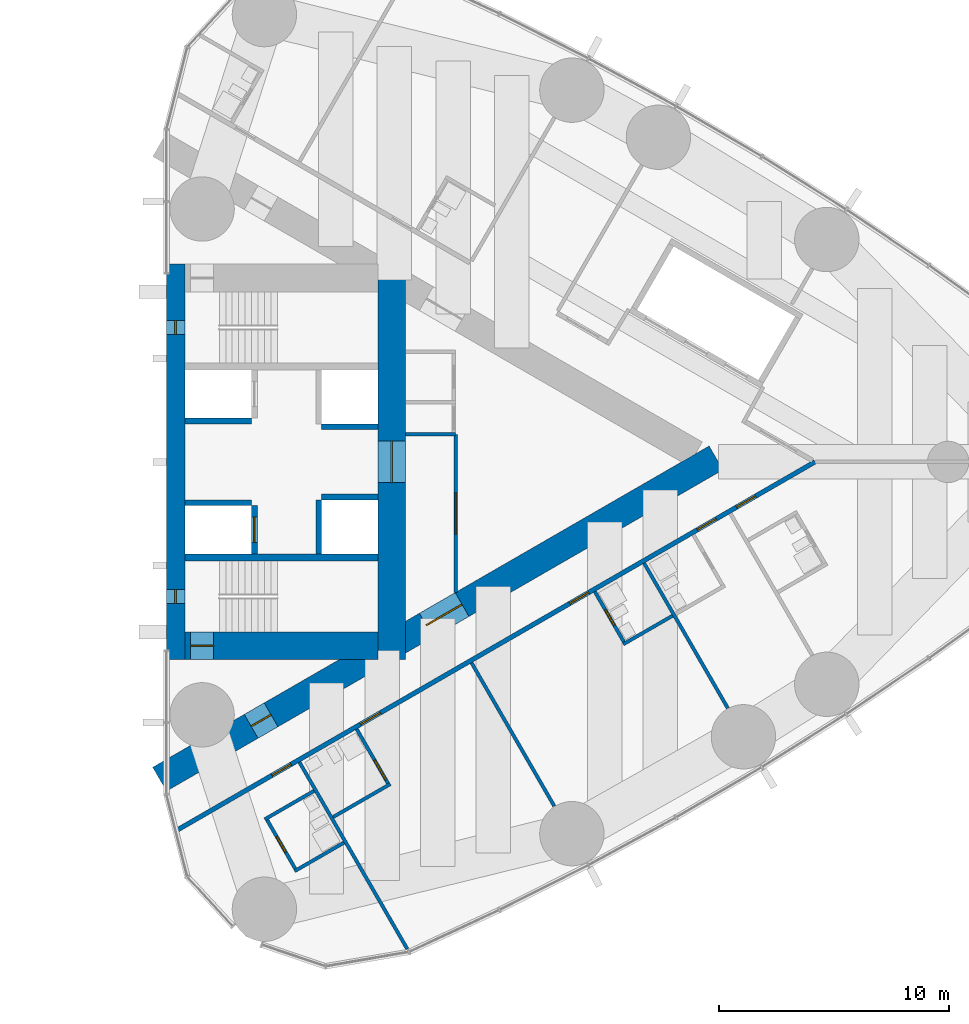
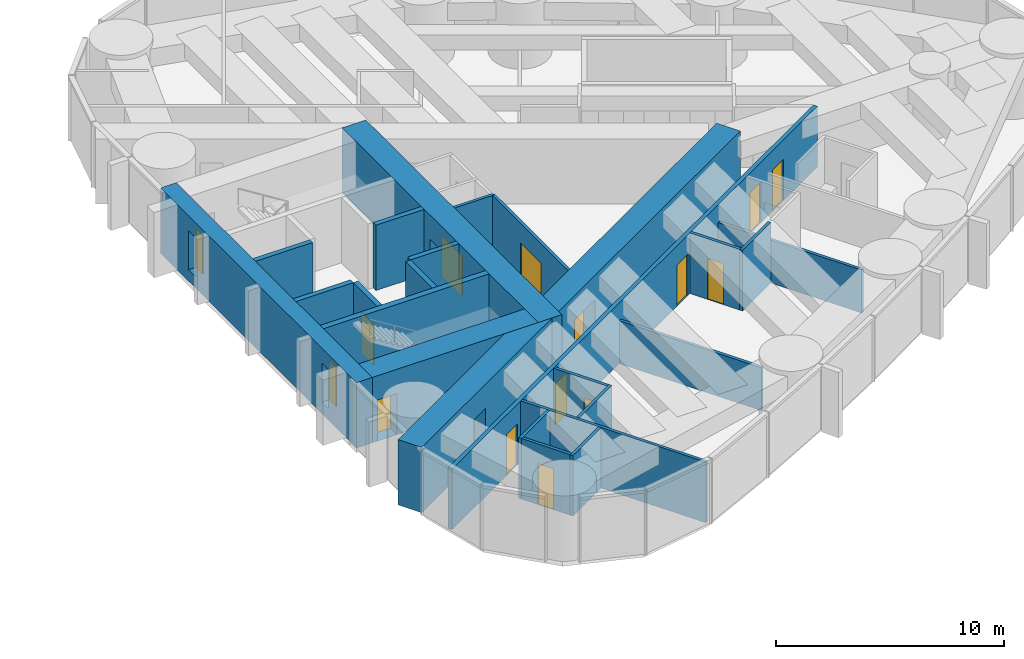
# One storey, part 14 of 19: 24 walls, 14 doors, 2 windows, 16 openings.
"""IFC4 building model written with IfcOpenShell, lengths in metres."""

from ifc_helpers import new_model, si_unit, direction, frame, frame_2d, origin, place, context, subcontext, project, spatial, rectangle, extrude, material, layer, layer_set, type_object, element, fill, save


model = new_model("IFC4")

# Units and contexts
model_context = context("Model", 3, precision=1e-05, world=origin(), true_north=direction((0.0, 1.0)))
body_context = subcontext(model_context, "Body", "Model", "MODEL_VIEW")
ifc_project = project(units=[si_unit("LENGTHUNIT", "METRE"), si_unit("AREAUNIT", "SQUARE_METRE"), si_unit("VOLUMEUNIT", "CUBIC_METRE"), si_unit("PLANEANGLEUNIT", "RADIAN"), si_unit("MASSUNIT", "GRAM", prefix="KILO")], contexts=[model_context])

# Site, building, storey
site_placement = place(None, origin())
site = spatial("IfcSite", under=ifc_project, at=site_placement, CompositionType="ELEMENT")
building_placement = place(site_placement, origin())
building = spatial("IfcBuilding", under=site, at=building_placement, Name="Lancet Gate Hotel", CompositionType="ELEMENT")
storey_placement = place(building_placement, frame((0.0, 0.0, 177.300048828125)))
storey = spatial("IfcBuildingStorey", under=building, at=storey_placement, Name="L47", CompositionType="ELEMENT", Elevation=177.300048828125)

# Wall
ifc_material_1 = material(Name="Moisture resistant board partition")
ifc_layer_1 = layer(ifc_material_1, 0.14990234375)
ifc_layer_set_1 = layer_set([ifc_layer_1], Name="Bathroom wall 150")
wall_type_1 = type_object("IfcWallType", Name="Bathroom wall 150", PredefinedType="PARTITIONING", material=ifc_layer_set_1)
wall_1_placement = place(storey_placement, frame((33.0751953125, -17.798095703125, 0.0), z_axis=(0.0, 0.0, 1.0), x_axis=(0.866006523861, 0.500032699561, 0.0)))
element("IfcWall", 1, at=wall_1_placement, inside=storey, type_object=wall_type_1, Name="T2 bathroom wall 150 L47", PredefinedType="PARTITIONING", context=body_context, shape_type="SweptSolid", body=[
    extrude(rectangle(XDim=2.474853515625, YDim=0.14990234375, at=frame_2d((1.2373046875, 0.0))), origin(), (0.0, 0.0, 1.0), 3.25),
])

# Wall, opening, door
wall_2_placement = place(storey_placement, frame((31.840087890625, -15.5087890625, 0.0), z_axis=(0.0, 0.0, 1.0), x_axis=(0.500006934395, -0.866021400173, 0.0)))
wall_2 = element("IfcWall", 2, at=wall_2_placement, inside=storey, type_object=wall_type_1, Name="T2 bathroom wall 150 L47", PredefinedType="PARTITIONING", context=body_context, shape_type="SweptSolid", body=[
    extrude(rectangle(XDim=2.60009765625, YDim=0.14990234375, at=frame_2d((1.300048828125, 0.0))), origin(), (0.0, 0.0, 1.0), 3.25),
])
opening_1_placement = place(wall_2_placement, frame((0.89990234375, 0.0, 0.0)))
opening_1 = element("IfcOpeningElement", 3, at=opening_1_placement, cuts=wall_2, Name="Opening 4751-B", PredefinedType="OPENING", context=body_context, shape_type="SweptSolid", body=[
    extrude(rectangle(XDim=0.800048828125, YDim=2.199951171875, at=frame_2d((0.39990234375, 1.10009765625))), frame((0.0, 0.0849609375, 0.0), z_axis=(0.0, -1.0, 0.0), x_axis=(1.0, 0.0, 0.0)), (0.0, 0.0, 1.0), 0.169921875),
])
ifc_material_2 = material(Name="Timber door set", Category="wood")
door_type_1 = type_object("IfcDoorType", Name="Bathroom door 800", OperationType="SINGLE_SWING_RIGHT", PredefinedType="DOOR", material=ifc_material_2)
door_1_placement = place(opening_1_placement, origin())
door_1 = element("IfcDoor", 4, at=door_1_placement, inside=storey, type_object=door_type_1, Name="4751-B", OperationType="SINGLE_SWING_RIGHT", OverallHeight=2.199951171875, OverallWidth=0.800048828125, PredefinedType="DOOR", context=body_context, shape_type="SweptSolid", body=[
    extrude(rectangle(XDim=0.800048828125, YDim=2.199951171875, at=frame_2d((0.39990234375, 1.10009765625))), frame((0.0, 0.02490234375, 0.0), z_axis=(0.0, -1.0, 0.0), x_axis=(1.0, 0.0, 0.0)), (0.0, 0.0, 1.0), 0.050048828125),
])
fill(opening_1, door_1)

# Walls
wall_3_placement = place(storey_placement, frame((31.775146484375, -15.54638671875, 0.0), z_axis=(0.0, 0.0, 1.0), x_axis=(0.866031185235, 0.4999899861, 0.0)))
element("IfcWall", 5, at=wall_3_placement, inside=storey, type_object=wall_type_1, Name="T2 bathroom wall 150 L47", PredefinedType="PARTITIONING", context=body_context, shape_type="SweptSolid", body=[
    extrude(rectangle(XDim=2.47509765625, YDim=0.14990234375, at=frame_2d((1.237548828125, 0.0))), origin(), (0.0, 0.0, 1.0), 3.25),
])
wall_4_placement = place(storey_placement, frame((34.74853515625, -15.4462890625, 0.0), z_axis=(0.0, 0.0, 1.0), x_axis=(0.866018712932, 0.500011588718, 0.0)))
element("IfcWall", 6, at=wall_4_placement, inside=storey, type_object=wall_type_1, Name="T2 bathroom wall 150 L47", PredefinedType="PARTITIONING", context=body_context, shape_type="SweptSolid", body=[
    extrude(rectangle(XDim=2.875, YDim=0.14990234375, at=frame_2d((1.4375, 0.0))), origin(), (0.0, 0.0, 1.0), 3.25),
])

# Wall, opening, door
wall_5_placement = place(storey_placement, frame((35.7734375, -11.621337890625, 0.0), z_axis=(0.0, 0.0, 1.0), x_axis=(0.49998411664, -0.866034573852, 0.0)))
wall_5 = element("IfcWall", 7, at=wall_5_placement, inside=storey, type_object=wall_type_1, Name="T2 bathroom wall 150 L47", PredefinedType="PARTITIONING", context=body_context, shape_type="SweptSolid", body=[
    extrude(rectangle(XDim=2.7998046875, YDim=0.14990234375, at=frame_2d((1.39990234375, 0.0))), origin(), (0.0, 0.0, 1.0), 3.25),
])
opening_2_placement = place(wall_5_placement, frame((1.550048828125, 0.0, 0.0)))
opening_2 = element("IfcOpeningElement", 8, at=opening_2_placement, cuts=wall_5, Name="Opening 4752-B", PredefinedType="OPENING", context=body_context, shape_type="SweptSolid", body=[
    extrude(rectangle(XDim=1.0, YDim=2.199951171875, at=frame_2d((0.5, 1.10009765625))), frame((0.0, 0.0849609375, 0.0), z_axis=(0.0, -1.0, 0.0), x_axis=(1.0, 0.0, 0.0)), (0.0, 0.0, 1.0), 0.169921875),
])
ifc_material_3 = material(Name="Timber door set", Category="wood")
door_type_2 = type_object("IfcDoorType", Name="Accessible en-suite door 1000", OperationType="SINGLE_SWING_RIGHT", PredefinedType="DOOR", material=ifc_material_3)
door_2_placement = place(opening_2_placement, origin())
door_2 = element("IfcDoor", 9, at=door_2_placement, inside=storey, type_object=door_type_2, Name="4752-B", OperationType="SINGLE_SWING_RIGHT", OverallHeight=2.199951171875, OverallWidth=1.0, PredefinedType="DOOR", context=body_context, shape_type="SweptSolid", body=[
    extrude(rectangle(XDim=1.0, YDim=2.199951171875, at=frame_2d((0.5, 1.10009765625))), frame((0.0, 0.02490234375, 0.0), z_axis=(0.0, -1.0, 0.0), x_axis=(1.0, 0.0, 0.0)), (0.0, 0.0, 1.0), 0.050048828125),
])
fill(opening_2, door_2)

# Wall
wall_6_placement = place(storey_placement, frame((47.3662109375, -7.930419921875, 0.0), z_axis=(0.0, 0.0, 1.0), x_axis=(0.866031185235, 0.4999899861, 0.0)))
element("IfcWall", 10, at=wall_6_placement, inside=storey, type_object=wall_type_1, Name="T2 bathroom wall 150 L47", PredefinedType="PARTITIONING", context=body_context, shape_type="SweptSolid", body=[
    extrude(rectangle(XDim=2.47509765625, YDim=0.14990234375, at=frame_2d((1.237548828125, 0.0))), origin(), (0.0, 0.0, 1.0), 3.25),
])

# Wall, opening, door
wall_7_placement = place(storey_placement, frame((46.13134765625, -5.641357421875, 0.0), z_axis=(0.0, 0.0, 1.0), x_axis=(0.49997716683, -0.86603858612, 0.0)))
wall_7 = element("IfcWall", 11, at=wall_7_placement, inside=storey, type_object=wall_type_1, Name="T2 bathroom wall 150 L47", PredefinedType="PARTITIONING", context=body_context, shape_type="SweptSolid", body=[
    extrude(rectangle(XDim=2.599609375, YDim=0.14990234375, at=frame_2d((1.2998046875, 0.0))), origin(), (0.0, 0.0, 1.0), 3.25),
])
opening_3_placement = place(wall_7_placement, frame((0.89990234375, 0.0, 0.0)))
opening_3 = element("IfcOpeningElement", 12, at=opening_3_placement, cuts=wall_7, Name="Opening 4754-B", PredefinedType="OPENING", context=body_context, shape_type="SweptSolid", body=[
    extrude(rectangle(XDim=0.800048828125, YDim=2.199951171875, at=frame_2d((0.39990234375, 1.10009765625))), frame((0.0, 0.0849609375, 0.0), z_axis=(0.0, -1.0, 0.0), x_axis=(1.0, 0.0, 0.0)), (0.0, 0.0, 1.0), 0.169921875),
])
door_3_placement = place(opening_3_placement, origin())
door_3 = element("IfcDoor", 13, at=door_3_placement, inside=storey, type_object=door_type_1, Name="4754-B", OperationType="SINGLE_SWING_RIGHT", OverallHeight=2.199951171875, OverallWidth=0.800048828125, PredefinedType="DOOR", context=body_context, shape_type="SweptSolid", body=[
    extrude(rectangle(XDim=0.800048828125, YDim=2.199951171875, at=frame_2d((0.39990234375, 1.10009765625))), frame((0.0, 0.02490234375, 0.0), z_axis=(0.0, -1.0, 0.0), x_axis=(1.0, 0.0, 0.0)), (0.0, 0.0, 1.0), 0.050048828125),
])
fill(opening_3, door_3)

# Wall, openings, doors
ifc_material_4 = material(Name="Concrete C70/85", Category="concrete")
ifc_layer_2 = layer(ifc_material_4, 1.199951171875)
ifc_layer_set_2 = layer_set([ifc_layer_2], Name="Buttress wall 1200")
wall_type_2 = type_object("IfcWallType", Name="Buttress wall 1200", PredefinedType="SHEAR", material=ifc_layer_set_2)
wall_8_placement = place(storey_placement, frame((27.199951171875, -13.800048828125, 0.0), z_axis=(0.0, 0.0, 1.0), x_axis=(0.866027159892, 0.499996958321, 0.0)))
wall_8 = element("IfcWall", 14, at=wall_8_placement, inside=storey, type_object=wall_type_2, Name="T2 buttress wall S L47", PredefinedType="SHEAR", context=body_context, shape_type="SweptSolid", body=[
    extrude(rectangle(XDim=27.946533203125, YDim=1.199951171875, at=frame_2d((13.97314453125, 0.0))), origin(), (0.0, 0.0, 1.0), 3.5),
])
opening_4_placement = place(wall_8_placement, frame((4.60009765625, 0.0, 0.0)))
opening_4 = element("IfcOpeningElement", 15, at=opening_4_placement, cuts=wall_8, Name="Opening T2-L47-LS", PredefinedType="OPENING", context=body_context, shape_type="SweptSolid", body=[
    extrude(rectangle(XDim=1.0, YDim=2.199951171875, at=frame_2d((0.5, 1.10009765625))), frame((0.0, 0.60986328125, 0.0), z_axis=(0.0, -1.0, 0.0), x_axis=(1.0, 0.0, 0.0)), (0.0, 0.0, 1.0), 1.219970703125),
])
opening_5_placement = place(wall_8_placement, frame((13.39453125, 0.0, 0.0)))
opening_5 = element("IfcOpeningElement", 16, at=opening_5_placement, cuts=wall_8, Name="Opening T2-L47-LHS", PredefinedType="OPENING", context=body_context, shape_type="SweptSolid", body=[
    extrude(rectangle(XDim=1.800048828125, YDim=2.199951171875, at=frame_2d((0.89990234375, 1.10009765625))), frame((0.0, 0.60986328125, 0.0), z_axis=(0.0, -1.0, 0.0), x_axis=(1.0, 0.0, 0.0)), (0.0, 0.0, 1.0), 1.219970703125),
])
ifc_material_5 = material(Name="Timber door set", Category="wood")
door_type_3 = type_object("IfcDoorType", Name="Lobby double door 1800", OperationType="DOUBLE_DOOR_SINGLE_SWING", PredefinedType="DOOR", material=ifc_material_5)
door_4_placement = place(opening_5_placement, origin())
door_4 = element("IfcDoor", 17, at=door_4_placement, inside=storey, type_object=door_type_3, Name="T2-L47-LHS", OperationType="DOUBLE_DOOR_SINGLE_SWING", OverallHeight=2.199951171875, OverallWidth=1.800048828125, PredefinedType="DOOR", context=body_context, shape_type="SweptSolid", body=[
    extrude(rectangle(XDim=1.800048828125, YDim=2.199951171875, at=frame_2d((0.89990234375, 1.10009765625))), frame((0.0, 0.02490234375, 0.0), z_axis=(0.0, -1.0, 0.0), x_axis=(1.0, 0.0, 0.0)), (0.0, 0.0, 1.0), 0.050048828125),
])
fill(opening_5, door_4)
ifc_material_6 = material(Name="Timber door set", Category="wood")
door_type_4 = type_object("IfcDoorType", Name="Stair lobby door 1000", OperationType="SINGLE_SWING_LEFT", PredefinedType="DOOR", material=ifc_material_6)
door_5_placement = place(opening_4_placement, origin())
door_5 = element("IfcDoor", 18, at=door_5_placement, inside=storey, type_object=door_type_4, Name="T2-L47-LS", OperationType="SINGLE_SWING_LEFT", OverallHeight=2.199951171875, OverallWidth=1.0, PredefinedType="DOOR", context=body_context, shape_type="SweptSolid", body=[
    extrude(rectangle(XDim=1.0, YDim=2.199951171875, at=frame_2d((0.5, 1.10009765625))), frame((0.0, 0.02490234375, 0.0), z_axis=(0.0, -1.0, 0.0), x_axis=(1.0, 0.0, 0.0)), (0.0, 0.0, 1.0), 0.050048828125),
])
fill(opening_4, door_5)

# Wall, opening, door
ifc_material_7 = material(Name="Concrete C70/85", Category="concrete")
ifc_layer_3 = layer(ifc_material_7, 1.199951171875)
ifc_layer_set_3 = layer_set([ifc_layer_3], Name="Core wall 1200")
wall_type_3 = type_object("IfcWallType", Name="Core wall 1200", PredefinedType="SHEAR", material=ifc_layer_set_3)
wall_9_placement = place(storey_placement, frame((37.300048828125, -8.60009765625, 0.0), z_axis=(0.0, 0.0, 1.0), x_axis=(0.0, 1.0, 0.0)))
wall_9 = element("IfcWall", 19, at=wall_9_placement, inside=storey, type_object=wall_type_3, Name="T2 core wall back L47", PredefinedType="SHEAR", context=body_context, shape_type="SweptSolid", body=[
    extrude(rectangle(XDim=17.2001953125, YDim=1.199951171875, at=frame_2d((8.60009765625, 0.0))), origin(), (0.0, 0.0, 1.0), 3.5),
])
opening_6_placement = place(wall_9_placement, frame((7.699951171875, 0.0, 0.0)))
opening_6 = element("IfcOpeningElement", 20, at=opening_6_placement, cuts=wall_9, Name="Opening T2-L47-LL", PredefinedType="OPENING", context=body_context, shape_type="SweptSolid", body=[
    extrude(rectangle(XDim=1.800048828125, YDim=2.199951171875, at=frame_2d((0.89990234375, 1.10009765625))), frame((0.0, 0.60986328125, 0.0), z_axis=(0.0, -1.0, 0.0), x_axis=(1.0, 0.0, 0.0)), (0.0, 0.0, 1.0), 1.219970703125),
])
door_6_placement = place(opening_6_placement, origin())
door_6 = element("IfcDoor", 21, at=door_6_placement, inside=storey, type_object=door_type_3, Name="T2-L47-LL", OperationType="DOUBLE_DOOR_SINGLE_SWING", OverallHeight=2.199951171875, OverallWidth=1.800048828125, PredefinedType="DOOR", context=body_context, shape_type="SweptSolid", body=[
    extrude(rectangle(XDim=1.800048828125, YDim=2.199951171875, at=frame_2d((0.89990234375, 1.10009765625))), frame((0.0, 0.02490234375, 0.0), z_axis=(0.0, -1.0, 0.0), x_axis=(1.0, 0.0, 0.0)), (0.0, 0.0, 1.0), 0.050048828125),
])
fill(opening_6, door_6)

wall_10_placement = place(storey_placement, frame((28.300048828125, -8.0, 0.0), z_axis=(0.0, 0.0, 1.0), x_axis=(1.0, 0.0, 0.0)))
wall_10 = element("IfcWall", 22, at=wall_10_placement, inside=storey, type_object=wall_type_3, Name="T2 core wall side-S L47", PredefinedType="SHEAR", context=body_context, shape_type="SweptSolid", body=[
    extrude(rectangle(XDim=8.39990234375, YDim=1.199951171875, at=frame_2d((4.199951171875, 0.0))), origin(), (0.0, 0.0, 1.0), 3.5),
])
opening_7_placement = place(wall_10_placement, frame((0.25, 0.0, 0.0)))
opening_7 = element("IfcOpeningElement", 23, at=opening_7_placement, cuts=wall_10, Name="Opening T2-L47-ST1", PredefinedType="OPENING", context=body_context, shape_type="SweptSolid", body=[
    extrude(rectangle(XDim=1.0, YDim=2.199951171875, at=frame_2d((0.5, 1.10009765625))), frame((0.0, 0.60986328125, 0.0), z_axis=(0.0, -1.0, 0.0), x_axis=(1.0, 0.0, 0.0)), (0.0, 0.0, 1.0), 1.219970703125),
])
ifc_material_8 = material(Name="Timber door set", Category="wood")
door_type_5 = type_object("IfcDoorType", Name="Stair door 1000", OperationType="SINGLE_SWING_RIGHT", PredefinedType="DOOR", material=ifc_material_8)
door_7_placement = place(opening_7_placement, origin())
door_7 = element("IfcDoor", 24, at=door_7_placement, inside=storey, type_object=door_type_5, Name="T2-L47-ST1", OperationType="SINGLE_SWING_RIGHT", OverallHeight=2.199951171875, OverallWidth=1.0, PredefinedType="DOOR", context=body_context, shape_type="SweptSolid", body=[
    extrude(rectangle(XDim=1.0, YDim=2.199951171875, at=frame_2d((0.5, 1.10009765625))), frame((0.0, 0.02490234375, 0.0), z_axis=(0.0, -1.0, 0.0), x_axis=(1.0, 0.0, 0.0)), (0.0, 0.0, 1.0), 0.050048828125),
])
fill(opening_7, door_7)

# Wall, openings, windows
ifc_material_9 = material(Name="Concrete C70/85", Category="concrete")
ifc_layer_4 = layer(ifc_material_9, 0.800048828125)
ifc_layer_set_4 = layer_set([ifc_layer_4], Name="Core wall 800")
wall_type_4 = type_object("IfcWallType", Name="Core wall 800", PredefinedType="SHEAR", material=ifc_layer_set_4)
wall_11_placement = place(storey_placement, frame((27.89990234375, -8.60009765625, 0.0), z_axis=(0.0, 0.0, 1.0), x_axis=(0.0, 1.0, 0.0)))
wall_11 = element("IfcWall", 25, at=wall_11_placement, inside=storey, type_object=wall_type_4, Name="T2 core wall front L47", PredefinedType="SHEAR", context=body_context, shape_type="SweptSolid", body=[
    extrude(rectangle(XDim=17.2001953125, YDim=0.800048828125, at=frame_2d((8.60009765625, 0.0))), origin(), (0.0, 0.0, 1.0), 3.5),
])
opening_8_placement = place(wall_11_placement, frame((2.449951171875, 0.0, 0.60009765625)))
opening_8 = element("IfcOpeningElement", 26, at=opening_8_placement, cuts=wall_11, Name="Opening LW1", PredefinedType="OPENING", context=body_context, shape_type="SweptSolid", body=[
    extrude(rectangle(XDim=0.60009765625, YDim=2.10009765625, at=frame_2d((0.300048828125, 1.050048828125))), frame((0.0, 0.409912109375, 0.0), z_axis=(0.0, -1.0, 0.0), x_axis=(1.0, 0.0, 0.0)), (0.0, 0.0, 1.0), 0.820068359375),
])
opening_9_placement = place(wall_11_placement, frame((14.14990234375, 0.0, 0.60009765625)))
opening_9 = element("IfcOpeningElement", 27, at=opening_9_placement, cuts=wall_11, Name="Opening LW1", PredefinedType="OPENING", context=body_context, shape_type="SweptSolid", body=[
    extrude(rectangle(XDim=0.60009765625, YDim=2.10009765625, at=frame_2d((0.300048828125, 1.050048828125))), frame((0.0, 0.409912109375, 0.0), z_axis=(0.0, -1.0, 0.0), x_axis=(1.0, 0.0, 0.0)), (0.0, 0.0, 1.0), 0.820068359375),
])
ifc_material_10 = material(Name="Fire-resisting glazed steel window", Category="steel")
window_type = type_object("IfcWindowType", Name="Lancet window 600x2100", PartitioningType="SINGLE_PANEL", PredefinedType="WINDOW", material=ifc_material_10)
window_1_placement = place(opening_8_placement, origin())
window_1 = element("IfcWindow", 28, at=window_1_placement, inside=storey, type_object=window_type, Name="T2 stair window S L47", OverallHeight=2.10009765625, OverallWidth=0.60009765625, PartitioningType="SINGLE_PANEL", PredefinedType="WINDOW", context=body_context, shape_type="SweptSolid", body=[
    extrude(rectangle(XDim=0.60009765625, YDim=2.10009765625, at=frame_2d((0.300048828125, 1.050048828125))), frame((0.0, 0.030029296875, 0.0), z_axis=(0.0, -1.0, 0.0), x_axis=(1.0, 0.0, 0.0)), (0.0, 0.0, 1.0), 0.06005859375),
])
fill(opening_8, window_1)
window_2_placement = place(opening_9_placement, origin())
window_2 = element("IfcWindow", 29, at=window_2_placement, inside=storey, type_object=window_type, Name="T2 stair window N L47", OverallHeight=2.10009765625, OverallWidth=0.60009765625, PartitioningType="SINGLE_PANEL", PredefinedType="WINDOW", context=body_context, shape_type="SweptSolid", body=[
    extrude(rectangle(XDim=0.60009765625, YDim=2.10009765625, at=frame_2d((0.300048828125, 1.050048828125))), frame((0.0, 0.030029296875, 0.0), z_axis=(0.0, -1.0, 0.0), x_axis=(1.0, 0.0, 0.0)), (0.0, 0.0, 1.0), 0.06005859375),
])
fill(opening_9, window_2)

# Wall, openings, doors
ifc_material_11 = material(Name="Gypsum board partition")
ifc_layer_5 = layer(ifc_material_11, 0.199951171875)
ifc_layer_set_5 = layer_set([ifc_layer_5], Name="Corridor wall 200")
wall_type_5 = type_object("IfcWallType", Name="Corridor wall 200", PredefinedType="PARTITIONING", material=ifc_layer_set_5)
wall_12_placement = place(storey_placement, frame((27.95947265625, -16.017333984375, 0.0), z_axis=(0.0, 0.0, 1.0), x_axis=(0.866024151371, 0.500002169237, 0.0)))
wall_12 = element("IfcWall", 30, at=wall_12_placement, inside=storey, type_object=wall_type_5, Name="T2 corridor wall 200 L47", PredefinedType="PARTITIONING", context=body_context, shape_type="SweptSolid", body=[
    extrude(rectangle(XDim=32.034423828125, YDim=0.199951171875, at=frame_2d((16.01708984375, 0.0))), origin(), (0.0, 0.0, 1.0), 3.25),
])
opening_10_placement = place(wall_12_placement, frame((4.764892578125, 0.0, 0.0)))
opening_10 = element("IfcOpeningElement", 31, at=opening_10_placement, cuts=wall_12, Name="Opening 4751-E", PredefinedType="OPENING", context=body_context, shape_type="SweptSolid", body=[
    extrude(rectangle(XDim=0.949951171875, YDim=2.199951171875, at=frame_2d((0.47509765625, 1.10009765625))), frame((0.0, 0.10986328125, 0.0), z_axis=(0.0, -1.0, 0.0), x_axis=(1.0, 0.0, 0.0)), (0.0, 0.0, 1.0), 0.219970703125),
])
opening_11_placement = place(wall_12_placement, frame((9.215087890625, 0.0, 0.0)))
opening_11 = element("IfcOpeningElement", 32, at=opening_11_placement, cuts=wall_12, Name="Opening 4752-E", PredefinedType="OPENING", context=body_context, shape_type="SweptSolid", body=[
    extrude(rectangle(XDim=1.0, YDim=2.199951171875, at=frame_2d((0.5, 1.10009765625))), frame((0.0, 0.10986328125, 0.0), z_axis=(0.0, -1.0, 0.0), x_axis=(1.0, 0.0, 0.0)), (0.0, 0.0, 1.0), 0.219970703125),
])
opening_12_placement = place(wall_12_placement, frame((19.72509765625, 0.0, 0.0)))
opening_12 = element("IfcOpeningElement", 33, at=opening_12_placement, cuts=wall_12, Name="Opening 4754-E", PredefinedType="OPENING", context=body_context, shape_type="SweptSolid", body=[
    extrude(rectangle(XDim=0.949951171875, YDim=2.199951171875, at=frame_2d((0.47509765625, 1.10009765625))), frame((0.0, 0.10986328125, 0.0), z_axis=(0.0, -1.0, 0.0), x_axis=(1.0, 0.0, 0.0)), (0.0, 0.0, 1.0), 0.219970703125),
])
opening_13_placement = place(wall_12_placement, frame((26.125244140625, 0.0, 0.0)))
opening_13 = element("IfcOpeningElement", 34, at=opening_13_placement, cuts=wall_12, Name="Opening 4756-E", PredefinedType="OPENING", context=body_context, shape_type="SweptSolid", body=[
    extrude(rectangle(XDim=0.949951171875, YDim=2.199951171875, at=frame_2d((0.47509765625, 1.10009765625))), frame((0.0, 0.10986328125, 0.0), z_axis=(0.0, -1.0, 0.0), x_axis=(1.0, 0.0, 0.0)), (0.0, 0.0, 1.0), 0.219970703125),
])
opening_14_placement = place(wall_12_placement, frame((28.10595703125, 0.0, 0.0)))
opening_14 = element("IfcOpeningElement", 35, at=opening_14_placement, cuts=wall_12, Name="Opening 4757-E", PredefinedType="OPENING", context=body_context, shape_type="SweptSolid", body=[
    extrude(rectangle(XDim=0.949951171875, YDim=2.199951171875, at=frame_2d((0.47509765625, 1.10009765625))), frame((0.0, 0.10986328125, 0.0), z_axis=(0.0, -1.0, 0.0), x_axis=(1.0, 0.0, 0.0)), (0.0, 0.0, 1.0), 0.219970703125),
])
ifc_material_12 = material(Name="Timber door set", Category="wood")
door_type_6 = type_object("IfcDoorType", Name="Accessible guest room door 1000", OperationType="SINGLE_SWING_LEFT", PredefinedType="DOOR", material=ifc_material_12)
door_8_placement = place(opening_11_placement, origin())
door_8 = element("IfcDoor", 36, at=door_8_placement, inside=storey, type_object=door_type_6, Name="4752-E", OperationType="SINGLE_SWING_LEFT", OverallHeight=2.199951171875, OverallWidth=1.0, PredefinedType="DOOR", context=body_context, shape_type="SweptSolid", body=[
    extrude(rectangle(XDim=1.0, YDim=2.199951171875, at=frame_2d((0.5, 1.10009765625))), frame((0.0, 0.02490234375, 0.0), z_axis=(0.0, -1.0, 0.0), x_axis=(1.0, 0.0, 0.0)), (0.0, 0.0, 1.0), 0.050048828125),
])
fill(opening_11, door_8)
ifc_material_13 = material(Name="Timber door set", Category="wood")
door_type_7 = type_object("IfcDoorType", Name="Guest room entry door 950", OperationType="SINGLE_SWING_LEFT", PredefinedType="DOOR", material=ifc_material_13)
door_9_placement = place(opening_10_placement, origin())
door_9 = element("IfcDoor", 37, at=door_9_placement, inside=storey, type_object=door_type_7, Name="4751-E", OperationType="SINGLE_SWING_LEFT", OverallHeight=2.199951171875, OverallWidth=0.949951171875, PredefinedType="DOOR", context=body_context, shape_type="SweptSolid", body=[
    extrude(rectangle(XDim=0.949951171875, YDim=2.199951171875, at=frame_2d((0.47509765625, 1.10009765625))), frame((0.0, 0.02490234375, 0.0), z_axis=(0.0, -1.0, 0.0), x_axis=(1.0, 0.0, 0.0)), (0.0, 0.0, 1.0), 0.050048828125),
])
fill(opening_10, door_9)
door_10_placement = place(opening_12_placement, origin())
door_10 = element("IfcDoor", 38, at=door_10_placement, inside=storey, type_object=door_type_7, Name="4754-E", OperationType="SINGLE_SWING_LEFT", OverallHeight=2.199951171875, OverallWidth=0.949951171875, PredefinedType="DOOR", context=body_context, shape_type="SweptSolid", body=[
    extrude(rectangle(XDim=0.949951171875, YDim=2.199951171875, at=frame_2d((0.47509765625, 1.10009765625))), frame((0.0, 0.02490234375, 0.0), z_axis=(0.0, -1.0, 0.0), x_axis=(1.0, 0.0, 0.0)), (0.0, 0.0, 1.0), 0.050048828125),
])
fill(opening_12, door_10)
door_11_placement = place(opening_13_placement, origin())
door_11 = element("IfcDoor", 39, at=door_11_placement, inside=storey, type_object=door_type_7, Name="4756-E", OperationType="SINGLE_SWING_LEFT", OverallHeight=2.199951171875, OverallWidth=0.949951171875, PredefinedType="DOOR", context=body_context, shape_type="SweptSolid", body=[
    extrude(rectangle(XDim=0.949951171875, YDim=2.199951171875, at=frame_2d((0.47509765625, 1.10009765625))), frame((0.0, 0.02490234375, 0.0), z_axis=(0.0, -1.0, 0.0), x_axis=(1.0, 0.0, 0.0)), (0.0, 0.0, 1.0), 0.050048828125),
])
fill(opening_13, door_11)
door_12_placement = place(opening_14_placement, origin())
door_12 = element("IfcDoor", 40, at=door_12_placement, inside=storey, type_object=door_type_7, Name="4757-E", OperationType="SINGLE_SWING_LEFT", OverallHeight=2.199951171875, OverallWidth=0.949951171875, PredefinedType="DOOR", context=body_context, shape_type="SweptSolid", body=[
    extrude(rectangle(XDim=0.949951171875, YDim=2.199951171875, at=frame_2d((0.47509765625, 1.10009765625))), frame((0.0, 0.02490234375, 0.0), z_axis=(0.0, -1.0, 0.0), x_axis=(1.0, 0.0, 0.0)), (0.0, 0.0, 1.0), 0.050048828125),
])
fill(opening_14, door_12)

# Wall, opening, door
ifc_material_14 = material(Name="Concrete C50/60", Category="concrete")
ifc_layer_6 = layer(ifc_material_14, 0.25)
ifc_layer_set_6 = layer_set([ifc_layer_6], Name="Lift shaft wall 250")
wall_type_6 = type_object("IfcWallType", Name="Lift shaft wall 250", PredefinedType="SHEAR", material=ifc_layer_set_6)
wall_13_placement = place(storey_placement, frame((31.324951171875, -4.0, 0.0), z_axis=(0.0, 0.0, 1.0), x_axis=(0.0, 1.0, 0.0)))
wall_13 = element("IfcWall", 41, at=wall_13_placement, inside=storey, type_object=wall_type_6, Name="T2 core wall row1-S L47", PredefinedType="SHEAR", context=body_context, shape_type="SweptSolid", body=[
    extrude(rectangle(XDim=2.10009765625, YDim=0.25, at=frame_2d((1.050048828125, 0.0))), origin(), (0.0, 0.0, 1.0), 3.5),
])
opening_15_placement = place(wall_13_placement, frame((0.5, 0.0, 0.0)))
opening_15 = element("IfcOpeningElement", 42, at=opening_15_placement, cuts=wall_13, Name="Opening T2-SL1-L47", PredefinedType="OPENING", context=body_context, shape_type="SweptSolid", body=[
    extrude(rectangle(XDim=1.10009765625, YDim=2.199951171875, at=frame_2d((0.550048828125, 1.10009765625))), frame((0.0, 0.135009765625, 0.0), z_axis=(0.0, -1.0, 0.0), x_axis=(1.0, 0.0, 0.0)), (0.0, 0.0, 1.0), 0.27001953125),
])
ifc_material_15 = material(Name="Timber door set", Category="wood")
door_type_8 = type_object("IfcDoorType", Name="Service lift landing door 1100", OperationType="SLIDING_TO_LEFT", PredefinedType="USERDEFINED", material=ifc_material_15)
door_13_placement = place(opening_15_placement, origin())
door_13 = element("IfcDoor", 43, at=door_13_placement, inside=storey, type_object=door_type_8, Name="T2-SL1-L47", ObjectType="LIFT LANDING DOOR", OperationType="SLIDING_TO_LEFT", OverallHeight=2.199951171875, OverallWidth=1.10009765625, PredefinedType="USERDEFINED", context=body_context, shape_type="SweptSolid", body=[
    extrude(rectangle(XDim=1.10009765625, YDim=2.199951171875, at=frame_2d((0.550048828125, 1.10009765625))), frame((0.0, 0.02490234375, 0.0), z_axis=(0.0, -1.0, 0.0), x_axis=(1.0, 0.0, 0.0)), (0.0, 0.0, 1.0), 0.050048828125),
])
fill(opening_15, door_13)

# Walls
wall_14_placement = place(storey_placement, frame((34.125, -4.0, 0.0), z_axis=(0.0, 0.0, 1.0), x_axis=(0.0, 1.0, 0.0)))
element("IfcWall", 44, at=wall_14_placement, inside=storey, type_object=wall_type_6, Name="T2 core wall row2-S L47", PredefinedType="SHEAR", context=body_context, shape_type="SweptSolid", body=[
    extrude(rectangle(XDim=2.35009765625, YDim=0.25, at=frame_2d((1.175048828125, 0.0))), origin(), (0.0, 0.0, 1.0), 3.5),
])
wall_15_placement = place(storey_placement, frame((28.300048828125, -1.77490234375, 0.0), z_axis=(0.0, 0.0, 1.0), x_axis=(1.0, 0.0, 0.0)))
element("IfcWall", 45, at=wall_15_placement, inside=storey, type_object=wall_type_6, Name="T2 core wall pass1-S L47", PredefinedType="SHEAR", context=body_context, shape_type="SweptSolid", body=[
    extrude(rectangle(XDim=2.89990234375, YDim=0.25, at=frame_2d((1.449951171875, 0.0))), origin(), (0.0, 0.0, 1.0), 3.5),
])
wall_16_placement = place(storey_placement, frame((34.25, -1.52490234375, 0.0), z_axis=(0.0, 0.0, 1.0), x_axis=(1.0, 0.0, 0.0)))
element("IfcWall", 46, at=wall_16_placement, inside=storey, type_object=wall_type_6, Name="T2 core wall pass2-S L47", PredefinedType="SHEAR", context=body_context, shape_type="SweptSolid", body=[
    extrude(rectangle(XDim=2.449951171875, YDim=0.25, at=frame_2d((1.22509765625, 0.0))), origin(), (0.0, 0.0, 1.0), 3.5),
])
wall_17_placement = place(storey_placement, frame((28.300048828125, 1.77490234375, 0.0), z_axis=(0.0, 0.0, 1.0), x_axis=(1.0, 0.0, 0.0)))
element("IfcWall", 47, at=wall_17_placement, inside=storey, type_object=wall_type_6, Name="T2 core wall pass1-N L47", PredefinedType="SHEAR", context=body_context, shape_type="SweptSolid", body=[
    extrude(rectangle(XDim=2.89990234375, YDim=0.25, at=frame_2d((1.449951171875, 0.0))), origin(), (0.0, 0.0, 1.0), 3.5),
])
wall_18_placement = place(storey_placement, frame((34.25, 1.52490234375, 0.0), z_axis=(0.0, 0.0, 1.0), x_axis=(1.0, 0.0, 0.0)))
element("IfcWall", 48, at=wall_18_placement, inside=storey, type_object=wall_type_6, Name="T2 core wall pass2-N L47", PredefinedType="SHEAR", context=body_context, shape_type="SweptSolid", body=[
    extrude(rectangle(XDim=2.449951171875, YDim=0.25, at=frame_2d((1.22509765625, 0.0))), origin(), (0.0, 0.0, 1.0), 3.5),
])
ifc_material_16 = material(Name="Gypsum board partition")
ifc_layer_7 = layer(ifc_material_16, 0.14990234375)
ifc_layer_set_7 = layer_set([ifc_layer_7], Name="Party wall 150")
wall_type_7 = type_object("IfcWallType", Name="Party wall 150", PredefinedType="PARTITIONING", material=ifc_layer_set_7)
wall_19_placement = place(storey_placement, frame((33.28369140625, -13.058837890625, 0.0), z_axis=(0.0, 0.0, 1.0), x_axis=(0.499985904184, -0.866033541855, 0.0)))
element("IfcWall", 49, at=wall_19_placement, inside=storey, type_object=wall_type_7, Name="T2 party wall 150 L47", PredefinedType="PARTITIONING", context=body_context, shape_type="SweptSolid", body=[
    extrude(rectangle(XDim=9.385498046875, YDim=0.14990234375, at=frame_2d((4.69287109375, 0.0))), origin(), (0.0, 0.0, 1.0), 3.25),
])
wall_20_placement = place(storey_placement, frame((40.769287109375, -8.737060546875, 0.0), z_axis=(0.0, 0.0, 1.0), x_axis=(0.500013115284, -0.866017831539, 0.0)))
element("IfcWall", 50, at=wall_20_placement, inside=storey, type_object=wall_type_7, Name="T2 party wall 150 L47", PredefinedType="PARTITIONING", context=body_context, shape_type="SweptSolid", body=[
    extrude(rectangle(XDim=7.197998046875, YDim=0.14990234375, at=frame_2d((3.59912109375, 0.0))), origin(), (0.0, 0.0, 1.0), 2.300048828125),
])
wall_21_placement = place(storey_placement, frame((48.274658203125, -4.40380859375, 0.0), z_axis=(0.0, 0.0, 1.0), x_axis=(0.500006004368, -0.866021937133, 0.0)))
element("IfcWall", 51, at=wall_21_placement, inside=storey, type_object=wall_type_7, Name="T2 party wall 150 L47", PredefinedType="PARTITIONING", context=body_context, shape_type="SweptSolid", body=[
    extrude(rectangle(XDim=7.279296875, YDim=0.14990234375, at=frame_2d((3.6396484375, 0.0))), origin(), (0.0, 0.0, 1.0), 2.300048828125),
])
ifc_material_17 = material(Name="Gypsum board partition")
ifc_layer_8 = layer(ifc_material_17, 0.14990234375)
ifc_layer_set_8 = layer_set([ifc_layer_8], Name="Service room wall 150")
wall_type_8 = type_object("IfcWallType", Name="Service room wall 150", PredefinedType="PARTITIONING", material=ifc_layer_set_8)
wall_22_placement = place(storey_placement, frame((37.89990234375, 1.199951171875, 0.0), z_axis=(0.0, 0.0, 1.0), x_axis=(1.0, 0.0, 0.0)))
element("IfcWall", 52, at=wall_22_placement, inside=storey, type_object=wall_type_8, Name="T2 service room wall 150 L47", PredefinedType="PARTITIONING", context=body_context, shape_type="SweptSolid", body=[
    extrude(rectangle(XDim=2.175048828125, YDim=0.14990234375, at=frame_2d((1.08740234375, 0.0))), origin(), (0.0, 0.0, 1.0), 3.25),
])

# Wall, opening, door
wall_23_placement = place(storey_placement, frame((40.074951171875, -5.673828125, 0.0), z_axis=(0.0, 0.0, 1.0), x_axis=(0.0, 1.0, 0.0)))
wall_23 = element("IfcWall", 53, at=wall_23_placement, inside=storey, type_object=wall_type_8, Name="T2 service room wall 150 L47", PredefinedType="PARTITIONING", context=body_context, shape_type="SweptSolid", body=[
    extrude(rectangle(XDim=6.873779296875, YDim=0.14990234375, at=frame_2d((3.43701171875, 0.0))), origin(), (0.0, 0.0, 1.0), 3.25),
])
opening_16_placement = place(wall_23_placement, frame((2.536865234375, 0.0, 0.0)))
opening_16 = element("IfcOpeningElement", 54, at=opening_16_placement, cuts=wall_23, Name="Opening T2-L47-LH", PredefinedType="OPENING", context=body_context, shape_type="SweptSolid", body=[
    extrude(rectangle(XDim=1.800048828125, YDim=2.199951171875, at=frame_2d((0.89990234375, 1.10009765625))), frame((0.0, 0.0849609375, 0.0), z_axis=(0.0, -1.0, 0.0), x_axis=(1.0, 0.0, 0.0)), (0.0, 0.0, 1.0), 0.169921875),
])
door_14_placement = place(opening_16_placement, origin())
door_14 = element("IfcDoor", 55, at=door_14_placement, inside=storey, type_object=door_type_3, Name="T2-L47-LH", OperationType="DOUBLE_DOOR_SINGLE_SWING", OverallHeight=2.199951171875, OverallWidth=1.800048828125, PredefinedType="DOOR", context=body_context, shape_type="SweptSolid", body=[
    extrude(rectangle(XDim=1.800048828125, YDim=2.199951171875, at=frame_2d((0.89990234375, 1.10009765625))), frame((0.0, 0.02490234375, 0.0), z_axis=(0.0, -1.0, 0.0), x_axis=(1.0, 0.0, 0.0)), (0.0, 0.0, 1.0), 0.050048828125),
])
fill(opening_16, door_14)

# Wall
ifc_material_18 = material(Name="Concrete C50/60", Category="concrete")
ifc_layer_9 = layer(ifc_material_18, 0.300048828125)
ifc_layer_set_9 = layer_set([ifc_layer_9], Name="Stair enclosure wall 300")
wall_type_9 = type_object("IfcWallType", Name="Stair enclosure wall 300", PredefinedType="SHEAR", material=ifc_layer_set_9)
wall_24_placement = place(storey_placement, frame((28.300048828125, -4.14990234375, 0.0), z_axis=(0.0, 0.0, 1.0), x_axis=(1.0, 0.0, 0.0)))
element("IfcWall", 56, at=wall_24_placement, inside=storey, type_object=wall_type_9, Name="T2 core wall stair-S L47", PredefinedType="SHEAR", context=body_context, shape_type="SweptSolid", body=[
    extrude(rectangle(XDim=8.39990234375, YDim=0.300048828125, at=frame_2d((4.199951171875, 0.0))), origin(), (0.0, 0.0, 1.0), 3.5),
])

save(model, "model.ifc")
